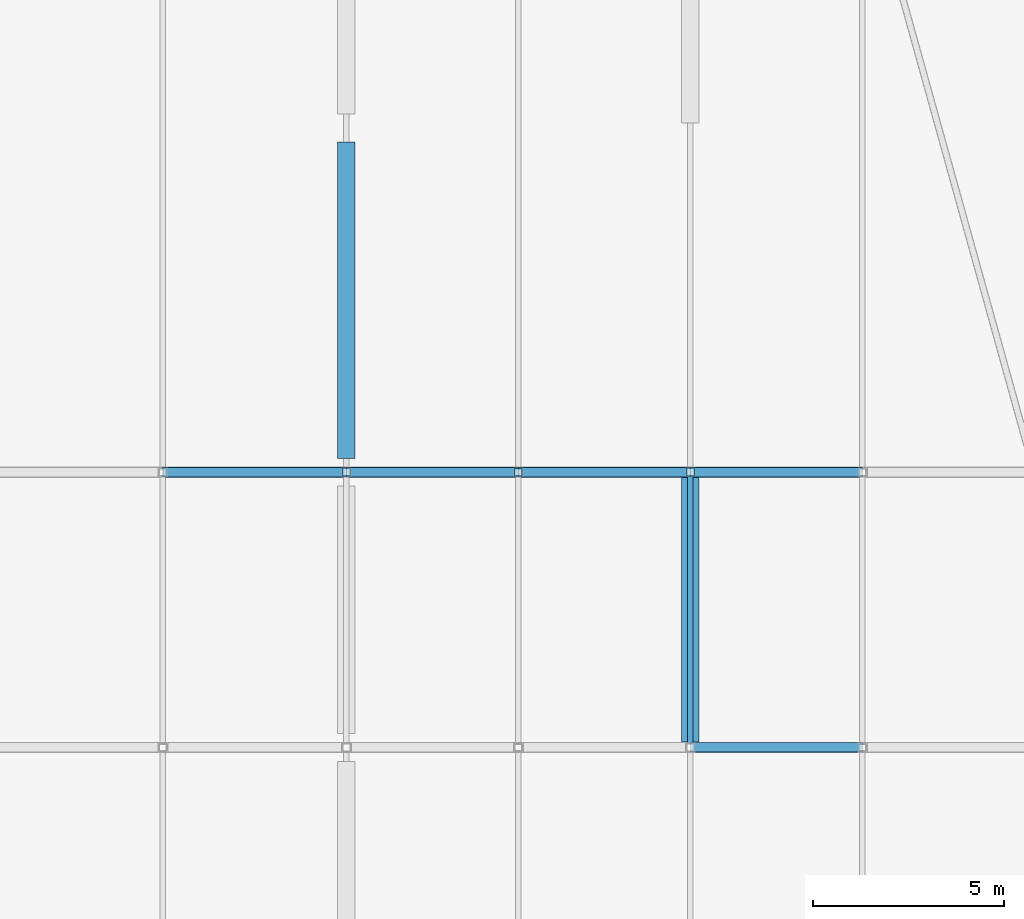
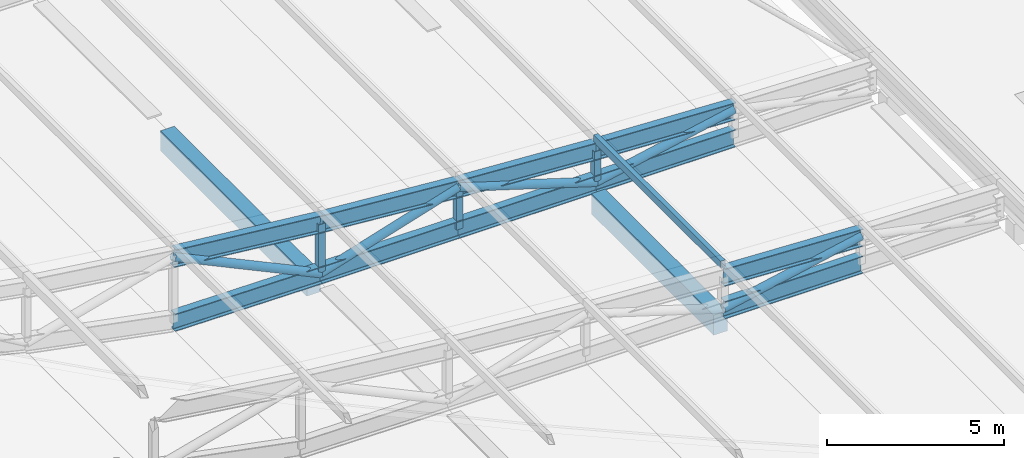
# One storey, part 52 of 114: 12 beams, 9 members.
"""IFC4 building model written with IfcOpenShell, lengths in metres."""

from ifc_helpers import new_model, si_unit, direction, frame, origin, origin_2d, place, context, subcontext, project, spatial, rectangle, hollow_rectangle, hollow_circle, i_section, extrude, material, material_profile, profile_set, type_object, element, save


model = new_model("IFC4")

# Units and contexts
model_context = context("Model", 3, precision=1e-05, world=origin(), true_north=direction((0.0, 1.0)))
body_context = subcontext(model_context, "Body", "Model", "MODEL_VIEW")
ifc_project = project(units=[si_unit("LENGTHUNIT", "METRE"), si_unit("AREAUNIT", "SQUARE_METRE"), si_unit("VOLUMEUNIT", "CUBIC_METRE"), si_unit("PLANEANGLEUNIT", "RADIAN"), si_unit("MASSUNIT", "GRAM", prefix="KILO"), si_unit("THERMODYNAMICTEMPERATUREUNIT", "KELVIN"), si_unit("POWERUNIT", "WATT")], contexts=[model_context])

# Site, building, storey
site_placement = place(None, origin())
site = spatial("IfcSite", under=ifc_project, at=site_placement, CompositionType="ELEMENT")
building_placement = place(site_placement, origin())
building = spatial("IfcBuilding", under=site, at=building_placement, Name="Sindhuravela Promenade Stadium", CompositionType="ELEMENT")
storey_placement = place(building_placement, frame((0.0, 0.0, 24.0)))
storey = spatial("IfcBuildingStorey", under=building, at=storey_placement, Name="L05", CompositionType="ELEMENT", Elevation=24.0)

# Beams
ifc_material_1 = material(Name="Concrete M40", Category="concrete")
ifc_material_profile_1 = material_profile(ifc_material_1, rectangle(XDim=0.449951171875, YDim=0.699951171875, at=origin_2d()), Name="RC 450x700")
ifc_profile_set_1 = profile_set([ifc_material_profile_1], Name="Concrete M40")
beam_type_1 = type_object("IfcBeamType", Name="RC-BM-450x700", PredefinedType="BEAM", material=ifc_profile_set_1)
beam_1_placement = place(storey_placement, frame((180.0, 68.764892578125, -0.594970703125), z_axis=(0.0, 1.0, 0.0), x_axis=(-1.0, 0.0, 0.0)))
element("IfcBeam", 1, at=beam_1_placement, inside=storey, type_object=beam_type_1, Name="Primary beam GB07 EAST L05", PredefinedType="BEAM", context=body_context, shape_type="SweptSolid", body=[
    extrude(rectangle(XDim=0.449951171875, YDim=0.699951171875, at=origin_2d()), origin(), (0.0, 0.0, 1.0), 8.27001953125),
])
beam_2_placement = place(storey_placement, frame((189.0, 61.340087890625, -0.594970703125), z_axis=(0.0, 1.0, 0.0), x_axis=(-1.0, 0.0, 0.0)))
element("IfcBeam", 2, at=beam_2_placement, inside=storey, type_object=beam_type_1, Name="Primary beam GB07 EAST L05", PredefinedType="BEAM", context=body_context, shape_type="SweptSolid", body=[
    extrude(rectangle(XDim=0.449951171875, YDim=0.699951171875, at=origin_2d()), origin(), (0.0, 0.0, 1.0), 6.919921875),
])
ifc_material_2 = material(Name="Steel E350 (IS 2062 E350BR)", Category="steel")
ifc_material_profile_2 = material_profile(ifc_material_2, i_section(OverallWidth=0.25, OverallDepth=0.60009765625, WebThickness=0.01171875, FlangeThickness=0.023681640625, FilletRadius=0.01708984375, at=origin_2d()), Name="ISWB 600")
ifc_profile_set_2 = profile_set([ifc_material_profile_2], Name="Steel E350 (IS 2062 E350BR)")
beam_type_2 = type_object("IfcBeamType", Name="ST-BM-WB600", PredefinedType="USERDEFINED", material=ifc_profile_set_2)
beam_3_placement = place(storey_placement, frame((193.5, 61.199951171875, 0.9306640625), z_axis=(-0.9990310406412204, 0.0, 0.04401113308380376), x_axis=(0.0, -1.0, 0.0)))
element("IfcBeam", 3, at=beam_3_placement, inside=storey, type_object=beam_type_2, Name="Roof truss RT-E03 top chord 2", ObjectType="ROOF TRUSS", PredefinedType="USERDEFINED", context=body_context, shape_type="SweptSolid", body=[
    extrude(i_section(OverallWidth=0.25, OverallDepth=0.60009765625, WebThickness=0.01171875, FlangeThickness=0.023681640625, FilletRadius=0.01708984375, at=origin_2d()), origin(), (0.0, 0.0, 1.0), 4.50439453125),
])
beam_4_placement = place(storey_placement, frame((193.5, 61.199951171875, 0.0), z_axis=(-1.0, 0.0, 0.0), x_axis=(0.0, -1.0, 0.0)))
element("IfcBeam", 4, at=beam_4_placement, inside=storey, type_object=beam_type_2, Name="Roof truss RT-E03 bottom chord 2", ObjectType="ROOF TRUSS", PredefinedType="USERDEFINED", context=body_context, shape_type="SweptSolid", body=[
    extrude(i_section(OverallWidth=0.25, OverallDepth=0.60009765625, WebThickness=0.01171875, FlangeThickness=0.023681640625, FilletRadius=0.01708984375, at=origin_2d()), origin(), (0.0, 0.0, 1.0), 4.5),
])
beam_5_placement = place(storey_placement, frame((193.5, 68.39990234375, 0.9306640625), z_axis=(-0.9990310406412204, 0.0, 0.04401113308380376), x_axis=(0.0, -1.0, 0.0)))
element("IfcBeam", 5, at=beam_5_placement, inside=storey, type_object=beam_type_2, Name="Roof truss RT-E04 top chord 2", ObjectType="ROOF TRUSS", PredefinedType="USERDEFINED", context=body_context, shape_type="SweptSolid", body=[
    extrude(i_section(OverallWidth=0.25, OverallDepth=0.60009765625, WebThickness=0.01171875, FlangeThickness=0.023681640625, FilletRadius=0.01708984375, at=origin_2d()), origin(), (0.0, 0.0, 1.0), 4.50439453125),
])
beam_6_placement = place(storey_placement, frame((193.5, 68.39990234375, 0.0), z_axis=(-1.0, 0.0, 0.0), x_axis=(0.0, -1.0, 0.0)))
element("IfcBeam", 6, at=beam_6_placement, inside=storey, type_object=beam_type_2, Name="Roof truss RT-E04 bottom chord 2", ObjectType="ROOF TRUSS", PredefinedType="USERDEFINED", context=body_context, shape_type="SweptSolid", body=[
    extrude(i_section(OverallWidth=0.25, OverallDepth=0.60009765625, WebThickness=0.01171875, FlangeThickness=0.023681640625, FilletRadius=0.01708984375, at=origin_2d()), origin(), (0.0, 0.0, 1.0), 4.5),
])
beam_7_placement = place(storey_placement, frame((189.0, 68.39990234375, 1.12890625), z_axis=(-0.9981720622420935, 0.0, 0.06043619908106426), x_axis=(0.0, -1.0, 0.0)))
element("IfcBeam", 7, at=beam_7_placement, inside=storey, type_object=beam_type_2, Name="Roof truss RT-E04 top chord 3", ObjectType="ROOF TRUSS", PredefinedType="USERDEFINED", context=body_context, shape_type="SweptSolid", body=[
    extrude(i_section(OverallWidth=0.25, OverallDepth=0.60009765625, WebThickness=0.01171875, FlangeThickness=0.023681640625, FilletRadius=0.01708984375, at=origin_2d()), origin(), (0.0, 0.0, 1.0), 4.50830078125),
])
beam_8_placement = place(storey_placement, frame((189.0, 68.39990234375, 0.0), z_axis=(-1.0, 0.0, 0.0), x_axis=(0.0, -1.0, 0.0)))
element("IfcBeam", 8, at=beam_8_placement, inside=storey, type_object=beam_type_2, Name="Roof truss RT-E04 bottom chord 3", ObjectType="ROOF TRUSS", PredefinedType="USERDEFINED", context=body_context, shape_type="SweptSolid", body=[
    extrude(i_section(OverallWidth=0.25, OverallDepth=0.60009765625, WebThickness=0.01171875, FlangeThickness=0.023681640625, FilletRadius=0.01708984375, at=origin_2d()), origin(), (0.0, 0.0, 1.0), 4.5),
])
beam_9_placement = place(storey_placement, frame((184.5, 68.39990234375, 1.4013671875), z_axis=(-0.9968775679455489, 0.0, 0.07896274138457582), x_axis=(0.0, -1.0, 0.0)))
element("IfcBeam", 9, at=beam_9_placement, inside=storey, type_object=beam_type_2, Name="Roof truss RT-E04 top chord 4", ObjectType="ROOF TRUSS", PredefinedType="USERDEFINED", context=body_context, shape_type="SweptSolid", body=[
    extrude(i_section(OverallWidth=0.25, OverallDepth=0.60009765625, WebThickness=0.01171875, FlangeThickness=0.023681640625, FilletRadius=0.01708984375, at=origin_2d()), origin(), (0.0, 0.0, 1.0), 4.51416015625),
])
beam_10_placement = place(storey_placement, frame((184.5, 68.39990234375, 0.0), z_axis=(-1.0, 0.0, 0.0), x_axis=(0.0, -1.0, 0.0)))
element("IfcBeam", 10, at=beam_10_placement, inside=storey, type_object=beam_type_2, Name="Roof truss RT-E04 bottom chord 4", ObjectType="ROOF TRUSS", PredefinedType="USERDEFINED", context=body_context, shape_type="SweptSolid", body=[
    extrude(i_section(OverallWidth=0.25, OverallDepth=0.60009765625, WebThickness=0.01171875, FlangeThickness=0.023681640625, FilletRadius=0.01708984375, at=origin_2d()), origin(), (0.0, 0.0, 1.0), 4.5),
])
beam_11_placement = place(storey_placement, frame((180.0, 68.39990234375, 1.7578125), z_axis=(-0.9947943351162852, 0.0, 0.10190304617894301), x_axis=(0.0, -1.0, 0.0)))
element("IfcBeam", 11, at=beam_11_placement, inside=storey, type_object=beam_type_2, Name="Roof truss RT-E04 top chord 5", ObjectType="ROOF TRUSS", PredefinedType="USERDEFINED", context=body_context, shape_type="SweptSolid", body=[
    extrude(i_section(OverallWidth=0.25, OverallDepth=0.60009765625, WebThickness=0.01171875, FlangeThickness=0.023681640625, FilletRadius=0.01708984375, at=origin_2d()), origin(), (0.0, 0.0, 1.0), 4.8251953125),
])
beam_12_placement = place(storey_placement, frame((180.0, 68.39990234375, 0.0), z_axis=(-0.9999778033758007, 0.0, 0.006662788883690041), x_axis=(0.0, -1.0, 0.0)))
element("IfcBeam", 12, at=beam_12_placement, inside=storey, type_object=beam_type_2, Name="Roof truss RT-E04 bottom chord 5", ObjectType="ROOF TRUSS", PredefinedType="USERDEFINED", context=body_context, shape_type="SweptSolid", body=[
    extrude(i_section(OverallWidth=0.25, OverallDepth=0.60009765625, WebThickness=0.01171875, FlangeThickness=0.023681640625, FilletRadius=0.01708984375, at=origin_2d()), origin(), (0.0, 0.0, 1.0), 4.800048828125),
])

# Members
ifc_material_profile_3 = material_profile(ifc_material_2, hollow_circle(Radius=0.136474609375, WallThickness=0.010009765625, at=origin_2d()), Name="CHS 273.0x10")
ifc_profile_set_3 = profile_set([ifc_material_profile_3], Name="Steel E350 (IS 2062 E350BR)")
member_type_1 = type_object("IfcMemberType", Name="ST-MB-CHS273", PredefinedType="BRACE", material=ifc_profile_set_3)
for number, where, z_axis, x_axis, name in (
    (13, (193.5, 61.199951171875, 0.9306640625), (-0.9792764097222669, 0.0, -0.2025283026183421), (0.0, -1.0, 0.0), "Roof truss RT-E03 diagonal web 2"),
    (14, (193.5, 68.39990234375, 0.9306640625), (-0.9792764097222669, 0.0, -0.2025283026183421), (0.0, -1.0, 0.0), "Roof truss RT-E04 diagonal web 2"),
):
    element("IfcMember", number, at=place(storey_placement, frame(where, z_axis=z_axis, x_axis=x_axis)), inside=storey, type_object=member_type_1, Name=name, PredefinedType="BRACE", context=body_context, shape_type="SweptSolid", body=[
        extrude(hollow_circle(Radius=0.136474609375, WallThickness=0.010009765625, at=origin_2d()), origin(), (0.0, 0.0, 1.0), 4.59521484375),
    ])
for number, where, z_axis, x_axis, name in (
    (15, (189.0, 68.39990234375, 0.0), (-0.9547744570376746, 0.0, 0.2973310212346057), (0.0, -1.0, 0.0), "Roof truss RT-E04 diagonal web 3"),
    (16, (184.5, 68.39990234375, 1.4013671875), (-0.9547744570376746, 0.0, -0.2973310212346057), (0.0, -1.0, 0.0), "Roof truss RT-E04 diagonal web 4"),
):
    element("IfcMember", number, at=place(storey_placement, frame(where, z_axis=z_axis, x_axis=x_axis)), inside=storey, type_object=member_type_1, Name=name, PredefinedType="BRACE", context=body_context, shape_type="SweptSolid", body=[
        extrude(hollow_circle(Radius=0.136474609375, WallThickness=0.010009765625, at=origin_2d()), origin(), (0.0, 0.0, 1.0), 4.713134765625),
    ])
member_1_placement = place(storey_placement, frame((180.0, 68.39990234375, 0.0), z_axis=(-0.9054959907272458, 0.0, 0.4243548170775059), x_axis=(0.0, -1.0, 0.0)))
element("IfcMember", 17, at=member_1_placement, inside=storey, type_object=member_type_1, Name="Roof truss RT-E04 diagonal web 5", PredefinedType="BRACE", context=body_context, shape_type="SweptSolid", body=[
    extrude(hollow_circle(Radius=0.136474609375, WallThickness=0.010009765625, at=origin_2d()), origin(), (0.0, 0.0, 1.0), 5.301025390625),
])
ifc_material_profile_4 = material_profile(ifc_material_2, hollow_rectangle(XDim=0.14990234375, YDim=0.25, WallThickness=0.010009765625, at=origin_2d()), Name="RHS 250x150x10")
ifc_profile_set_4 = profile_set([ifc_material_profile_4], Name="Steel E350 (IS 2062 E350BR)")
member_type_2 = type_object("IfcMemberType", Name="ST-MB-RHS250", PredefinedType="PURLIN", material=ifc_profile_set_4)
member_2_placement = place(storey_placement, frame((189.0, 61.199951171875, 1.52099609375), z_axis=(0.0, 1.0, 0.0), x_axis=(-1.0, 0.0, 0.0)))
element("IfcMember", 18, at=member_2_placement, inside=storey, type_object=member_type_2, Name="Roof purlin PR01 E bay 3.3", PredefinedType="PURLIN", context=body_context, shape_type="SweptSolid", body=[
    extrude(hollow_rectangle(XDim=0.14990234375, YDim=0.25, WallThickness=0.010009765625, at=origin_2d()), origin(), (0.0, 0.0, 1.0), 7.199951171875),
])
ifc_material_profile_5 = material_profile(ifc_material_2, hollow_rectangle(XDim=0.199951171875, YDim=0.199951171875, WallThickness=0.010009765625, at=origin_2d()), Name="SHS 200x200x10")
ifc_profile_set_5 = profile_set([ifc_material_profile_5], Name="Steel E350 (IS 2062 E350BR)")
member_type_3 = type_object("IfcMemberType", Name="ST-MB-SHS200", PredefinedType="POST", material=ifc_profile_set_5)
member_3_placement = place(storey_placement, frame((184.5, 68.39990234375, 0.0), z_axis=(0.0, 0.0, 1.0), x_axis=(1.0, 0.0, 0.0)))
element("IfcMember", 19, at=member_3_placement, inside=storey, type_object=member_type_3, Name="Roof truss RT-E04 vertical post 4", PredefinedType="POST", context=body_context, shape_type="SweptSolid", body=[
    extrude(hollow_rectangle(XDim=0.199951171875, YDim=0.199951171875, WallThickness=0.010009765625, at=origin_2d()), origin(), (0.0, 0.0, 1.0), 1.4013671875),
])
ifc_material_profile_6 = material_profile(ifc_material_2, hollow_rectangle(XDim=0.219970703125, YDim=0.219970703125, WallThickness=0.011962890625, at=origin_2d()), Name="SHS 220x220x12")
ifc_profile_set_6 = profile_set([ifc_material_profile_6], Name="Steel E350 (IS 2062 E350BR)")
member_type_4 = type_object("IfcMemberType", Name="ST-MB-SHS220", PredefinedType="POST", material=ifc_profile_set_6)
member_4_placement = place(storey_placement, frame((189.0, 68.39990234375, 0.0), z_axis=(0.0, 0.0, 1.0), x_axis=(1.0, 0.0, 0.0)))
element("IfcMember", 20, at=member_4_placement, inside=storey, type_object=member_type_4, Name="Roof truss RT-E04 vertical post 3", PredefinedType="POST", context=body_context, shape_type="SweptSolid", body=[
    extrude(hollow_rectangle(XDim=0.219970703125, YDim=0.219970703125, WallThickness=0.011962890625, at=origin_2d()), origin(), (0.0, 0.0, 1.0), 1.12890625),
])
member_5_placement = place(storey_placement, frame((180.0, 68.39990234375, 0.0), z_axis=(0.0, 0.0, 1.0), x_axis=(1.0, 0.0, 0.0)))
element("IfcMember", 21, at=member_5_placement, inside=storey, type_object=member_type_4, Name="Roof truss RT-E04 vertical post 5", PredefinedType="POST", context=body_context, shape_type="SweptSolid", body=[
    extrude(hollow_rectangle(XDim=0.219970703125, YDim=0.219970703125, WallThickness=0.011962890625, at=origin_2d()), origin(), (0.0, 0.0, 1.0), 1.7578125),
])

save(model, "model.ifc")
